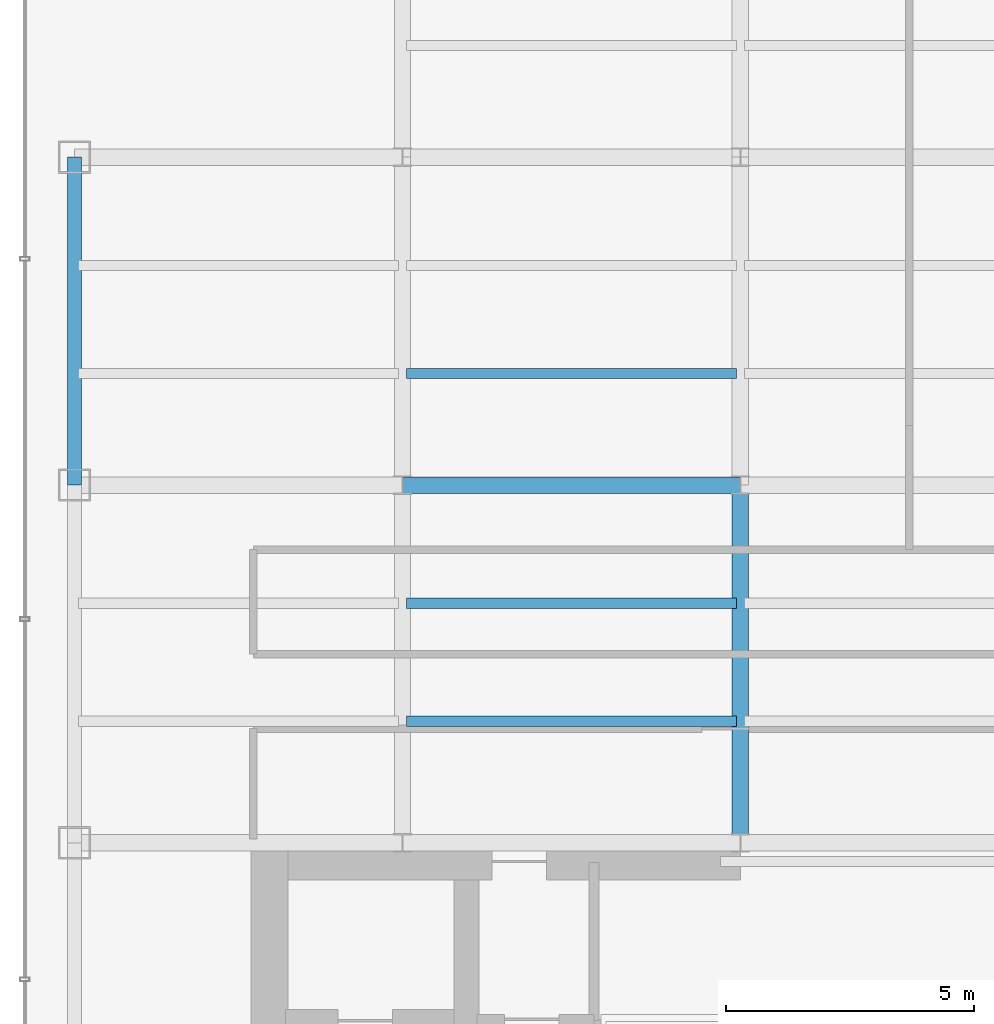
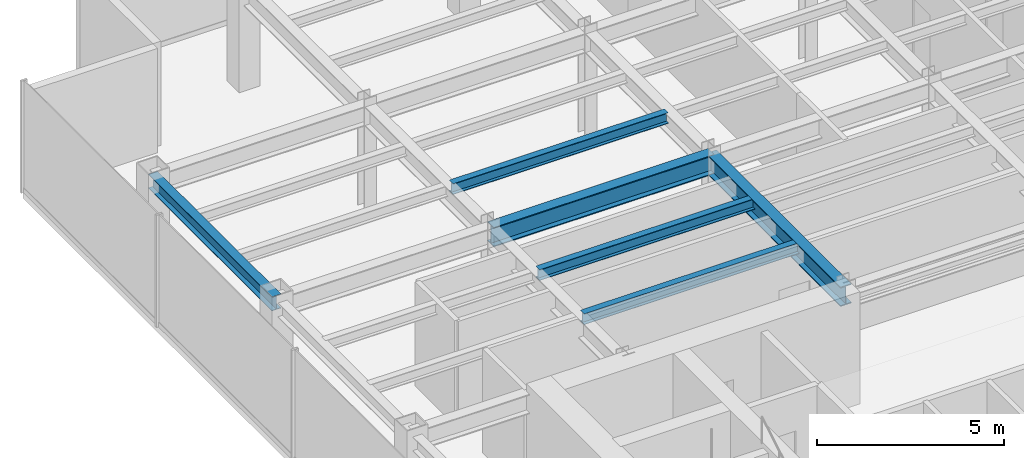
# One storey, part 6 of 25: 6 beams.
"""IFC4 building model written with IfcOpenShell, lengths in metres."""

from ifc_helpers import new_model, si_unit, derived_unit, direction, frame, origin, origin_2d, place, context, subcontext, project, spatial, i_section, extrude, source, transform, mapped, material, material_profile, profile_set, type_object, element, save


model = new_model("IFC4")

# Units and contexts
model_context = context("Model", 3, precision=1e-05, world=origin(), true_north=direction((0.0, 1.0)))
body_context = subcontext(model_context, "Body", "Model", "MODEL_VIEW")
ifc_project = project(units=[si_unit("LENGTHUNIT", "METRE"), si_unit("AREAUNIT", "SQUARE_METRE"), si_unit("VOLUMEUNIT", "CUBIC_METRE"), si_unit("PLANEANGLEUNIT", "RADIAN"), si_unit("MASSUNIT", "GRAM", prefix="KILO"), derived_unit("THERMALTRANSMITTANCEUNIT", [(si_unit("POWERUNIT", "WATT"), 1), (si_unit("LENGTHUNIT", "METRE"), -2), (si_unit("THERMODYNAMICTEMPERATUREUNIT", "KELVIN"), -1)])], contexts=[model_context])

# Site, building, storey
site_placement = place(None, origin())
site = spatial("IfcSite", under=ifc_project, at=site_placement, CompositionType="ELEMENT")
building_placement = place(site_placement, origin())
building = spatial("IfcBuilding", under=site, at=building_placement, Name="Skarnbrae Concourse Arena and Tower", CompositionType="ELEMENT")
storey_placement = place(building_placement, frame((0.0, 0.0, 162.5)))
storey = spatial("IfcBuildingStorey", under=building, at=storey_placement, Name="L41", CompositionType="ELEMENT", Elevation=162.5)

# Beams
ifc_material = material(Name="Steel CSA G40.21 350W", Category="steel")
ifc_material_profile_1 = material_profile(ifc_material, i_section(OverallWidth=0.3291015625, OverallDepth=0.635009765625, WebThickness=0.017822265625, FlangeThickness=0.031005859375, at=origin_2d()), Name="W610X241")
ifc_profile_set_1 = profile_set([ifc_material_profile_1], Name="Steel CSA G40.21 350W")
beam_type_1 = type_object("IfcBeamType", Name="BM-GIRD-W610X241", PredefinedType="BEAM", material=ifc_profile_set_1)
shared_shape_1 = source(origin(), body_context, "Body", "SweptSolid", [
    extrude(i_section(OverallWidth=0.3291015625, OverallDepth=0.635009765625, WebThickness=0.017822265625, FlangeThickness=0.031005859375, at=origin_2d()), origin(), (0.0, 0.0, 1.0), 6.7998046875),
])
beam_1_placement = place(storey_placement, frame((7.60009765625, 21.199951171875, 3.08251953125), z_axis=(1.0, 0.0, 0.0), x_axis=(0.0, 1.0, 0.0)))
element("IfcBeam", 1, at=beam_1_placement, inside=storey, type_object=beam_type_1, Name="L41 Primary E-W girder Y21.2-2", PredefinedType="BEAM", context=body_context, shape_type="MappedRepresentation", body=[
    mapped(shared_shape_1, transform((0.0, 0.0, 0.0))),
])
ifc_material_profile_2 = material_profile(ifc_material, i_section(OverallWidth=0.280029296875, OverallDepth=0.462890625, WebThickness=0.0107421875, FlangeThickness=0.017333984375, at=origin_2d()), Name="W460X113")
ifc_profile_set_2 = profile_set([ifc_material_profile_2], Name="Steel CSA G40.21 350W")
beam_type_2 = type_object("IfcBeamType", Name="BM-SPAN-W460X113", PredefinedType="SPANDREL", material=ifc_profile_set_2)
shared_shape_2 = source(origin(), body_context, "Body", "SweptSolid", [
    extrude(i_section(OverallWidth=0.280029296875, OverallDepth=0.462890625, WebThickness=0.0107421875, FlangeThickness=0.017333984375, at=origin_2d()), origin(), (0.0, 0.0, 1.0), 6.60009765625),
])
beam_2_placement = place(storey_placement, frame((1.0, 21.199951171875, 3.16845703125), z_axis=(0.0, 1.0, 0.0), x_axis=(-1.0, 0.0, 0.0)))
element("IfcBeam", 2, at=beam_2_placement, inside=storey, type_object=beam_type_2, Name="L41 Perimeter spandrel X1.0-3", PredefinedType="SPANDREL", context=body_context, shape_type="MappedRepresentation", body=[
    mapped(shared_shape_2, transform((0.0, 0.0, 0.0))),
])
shared_shape_3 = source(origin(), body_context, "Body", "SweptSolid", [
    extrude(i_section(OverallWidth=0.3291015625, OverallDepth=0.635009765625, WebThickness=0.017822265625, FlangeThickness=0.031005859375, at=origin_2d()), origin(), (0.0, 0.0, 1.0), 7.199951171875),
])
beam_3_placement = place(storey_placement, frame((14.39990234375, 14.0, 3.08251953125), z_axis=(0.0, 1.0, 0.0), x_axis=(-1.0, 0.0, 0.0)))
element("IfcBeam", 3, at=beam_3_placement, inside=storey, type_object=beam_type_1, Name="L41 Primary N-S girder X14.4-1", PredefinedType="BEAM", context=body_context, shape_type="MappedRepresentation", body=[
    mapped(shared_shape_3, transform((0.0, 0.0, 0.0))),
])
ifc_material_profile_3 = material_profile(ifc_material, i_section(OverallWidth=0.205078125, OverallDepth=0.35400390625, WebThickness=0.009521484375, FlangeThickness=0.016845703125, at=origin_2d()), Name="W360X79")
ifc_profile_set_3 = profile_set([ifc_material_profile_3], Name="Steel CSA G40.21 350W")
beam_type_3 = type_object("IfcBeamType", Name="BM-JOIST-W360X79", PredefinedType="JOIST", material=ifc_profile_set_3)
shared_shape_4 = source(origin(), body_context, "Body", "SweptSolid", [
    extrude(i_section(OverallWidth=0.205078125, OverallDepth=0.35400390625, WebThickness=0.009521484375, FlangeThickness=0.016845703125, at=origin_2d()), origin(), (0.0, 0.0, 1.0), 6.64013671875),
])
for number, where, z_axis, x_axis, name in (
    (4, (7.679931640625, 16.447998046875, 3.222900390625), (1.0, 0.0, 0.0), (0.0, 1.0, 0.0), "L41 Secondary floor joist 1.1.2"),
    (5, (7.679931640625, 18.823974609375, 3.222900390625), (1.0, 0.0, 0.0), (0.0, 1.0, 0.0), "L41 Secondary floor joist 1.2.2"),
    (6, (7.679931640625, 23.444091796875, 3.222900390625), (1.0, 0.0, 0.0), (0.0, 1.0, 0.0), "L41 Secondary floor joist 2.1.2"),
):
    element("IfcBeam", number, at=place(storey_placement, frame(where, z_axis=z_axis, x_axis=x_axis)), inside=storey, type_object=beam_type_3, Name=name, PredefinedType="JOIST", context=body_context, shape_type="MappedRepresentation", body=[
        mapped(shared_shape_4, transform((0.0, 0.0, 0.0))),
    ])

save(model, "model.ifc")
